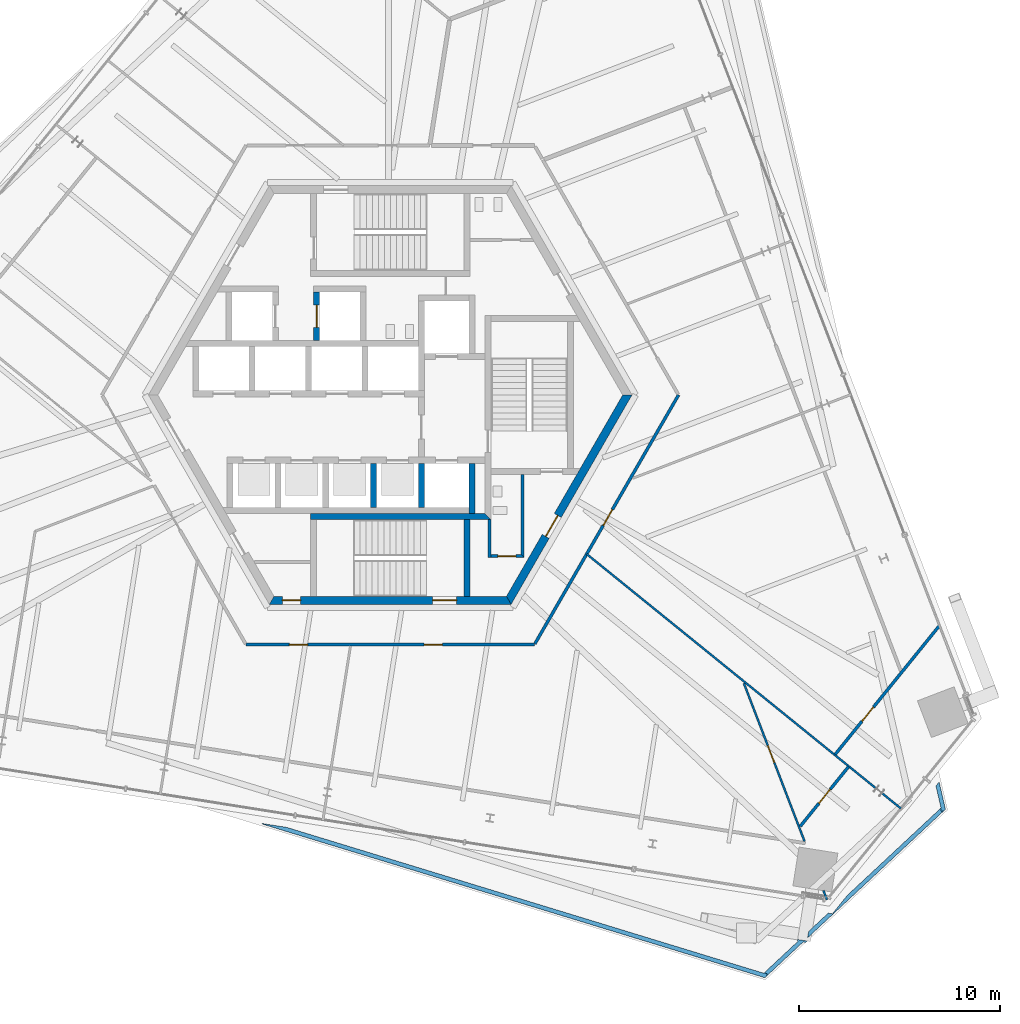
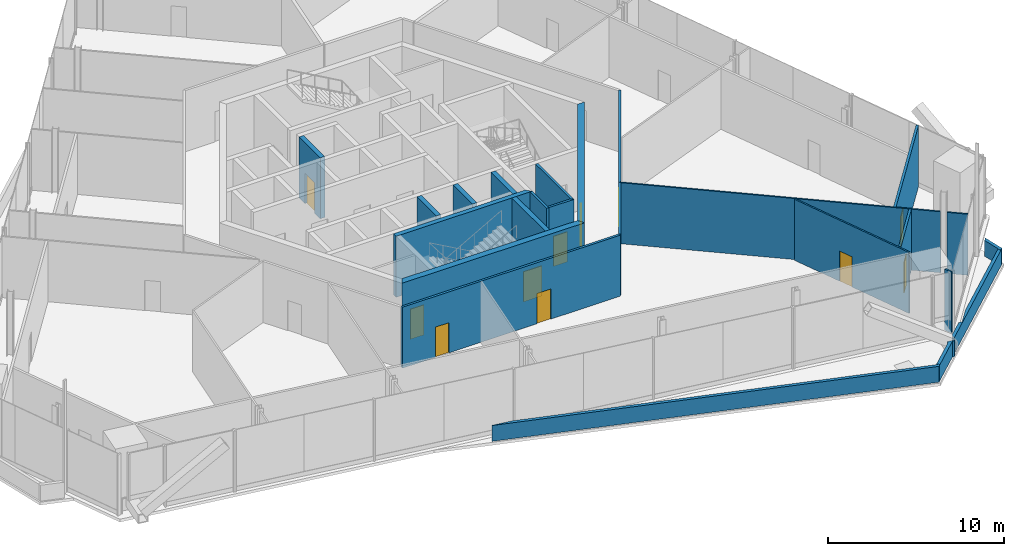
# One storey, part 14 of 22: 23 walls, 11 doors, 11 openings.
"""IFC4 building model written with IfcOpenShell, lengths in metres."""

import ifcopenshell
import ifcopenshell.guid

model = None  # the IFC model being written
_history = None  # IfcOwnerHistory: only IFC2X3 demands one
_inside = {}  # id of a spatial element -> (the spatial element, [elements in it])
_under = {}  # id of a project, library or spatial element -> (it, [spatial elements below it])
_declared = {}  # id of a project -> (the project, [libraries it declares])
_typed = {}  # id of a type object -> (the type object, [elements of that type])
_made_of = {}  # id of a material, layer set ... -> (it, [elements and type objects made of it])


def new_model(schema):
    """Start an empty IFC model of exactly this schema.

    Asked for "IFC4X3", IfcOpenShell would pick the latest addendum, in which some entities
    have other attributes; the version numbers below select the first issue.
    IFC2X3 requires an IfcOwnerHistory on every rooted entity: one is made here for all.
    """
    global model, _history
    if schema == "IFC4X3":
        model = ifcopenshell.file(schema_version=(4, 3, 0, 0))
    else:
        model = ifcopenshell.file(schema=schema)
    _inside.clear()
    _under.clear()
    _declared.clear()
    _typed.clear()
    _made_of.clear()
    _history = None
    if model.schema == "IFC2X3":
        org = make("IfcOrganization", Name="unknown")
        user = make(
            "IfcPersonAndOrganization",
            ThePerson=make("IfcPerson", FamilyName="unknown"),
            TheOrganization=org,
        )
        app = make(
            "IfcApplication",
            ApplicationDeveloper=org,
            Version="unknown",
            ApplicationFullName="unknown",
            ApplicationIdentifier="unknown",
        )
        _history = make(
            "IfcOwnerHistory",
            OwningUser=user,
            OwningApplication=app,
            ChangeAction="ADDED",
            CreationDate=0,
        )
    return model


def make(cls, **values):
    """One entity of the class cls with the attributes given. An attribute that is None is left unset."""
    return model.create_entity(
        cls, **{name: value for name, value in values.items() if value is not None}
    )


def rooted(cls, **values):
    """An entity with a GlobalId (a new one), such as an element, a storey or a relation."""
    return make(cls, GlobalId=ifcopenshell.guid.new(), OwnerHistory=_history, **values)


def si_unit(unit_type, name, prefix=None):
    """IfcSIUnit, for example si_unit("LENGTHUNIT", "METRE", prefix="MILLI")."""
    return make("IfcSIUnit", UnitType=unit_type, Prefix=prefix, Name=name)


def assignment(units):
    """IfcUnitAssignment: the units of a project."""
    return None if units is None else make("IfcUnitAssignment", Units=units)


def point(xyz):
    """IfcCartesianPoint."""
    return None if xyz is None else make("IfcCartesianPoint", Coordinates=xyz)


def direction(xyz):
    """IfcDirection."""
    return None if xyz is None else make("IfcDirection", DirectionRatios=xyz)


def frame(location, z_axis=None, x_axis=None):
    """IfcAxis2Placement3D, a coordinate frame: its origin and axes. An axis left out is left unset."""
    return make(
        "IfcAxis2Placement3D",
        Location=point(location),
        Axis=direction(z_axis),
        RefDirection=direction(x_axis),
    )


def frame_2d(location, x_axis=None):
    """IfcAxis2Placement2D, a coordinate frame in the plane: its origin and x axis."""
    return make(
        "IfcAxis2Placement2D", Location=point(location), RefDirection=direction(x_axis)
    )


def origin():
    """The frame at (0, 0, 0) with its axes left unset."""
    return frame((0.0, 0.0, 0.0))


def place(relative_to, where):
    """IfcLocalPlacement: puts the frame where relative to a parent placement (None: the world)."""
    return make(
        "IfcLocalPlacement", PlacementRelTo=relative_to, RelativePlacement=where
    )


def context(
    kind, dimensions, precision=None, world=None, true_north=None, identifier=None
):
    """IfcGeometricRepresentationContext, for example the 3D "Model" context."""
    return make(
        "IfcGeometricRepresentationContext",
        ContextIdentifier=identifier,
        ContextType=kind,
        CoordinateSpaceDimension=dimensions,
        Precision=precision,
        WorldCoordinateSystem=world,
        TrueNorth=true_north,
    )


def subcontext(parent, identifier, kind, view, scale=None):
    """IfcGeometricRepresentationSubContext, for example "Body" below "Model"."""
    return make(
        "IfcGeometricRepresentationSubContext",
        ContextIdentifier=identifier,
        ContextType=kind,
        ParentContext=parent,
        TargetScale=scale,
        TargetView=view,
    )


def project(units=None, contexts=None):
    """IfcProject with its units and contexts."""
    return rooted(
        "IfcProject",
        Name="project",
        RepresentationContexts=contexts,
        UnitsInContext=assignment(units),
    )


def spatial(cls, under=None, at=None, **own):
    """A site, building, storey or space (cls), placed at a placement, below another one or the project."""
    s = rooted(cls, ObjectPlacement=at, **own)
    if under is not None:
        _under.setdefault(under.id(), (under, []))[1].append(s)
    return s


def polyline(points):
    """IfcPolyline through the points."""
    return make("IfcPolyline", Points=[point(p) for p in points])


def profile(cls, at=None, kind="AREA", **sizes):
    """A parametric profile (cls). Its sizes go by their IFC names, for example OverallWidth=200.0."""
    return make(cls, ProfileType=kind, Position=at, **sizes)


def rectangle(**sizes):
    """IfcRectangleProfileDef."""
    return profile("IfcRectangleProfileDef", **sizes)


def outline(outer, holes=None, kind="AREA"):
    """IfcArbitraryClosedProfileDef: a profile drawn as a closed curve; with holes, ...WithVoids."""
    if holes is None:
        return make("IfcArbitraryClosedProfileDef", ProfileType=kind, OuterCurve=outer)
    return make(
        "IfcArbitraryProfileDefWithVoids",
        ProfileType=kind,
        OuterCurve=outer,
        InnerCurves=holes,
    )


def extrude(swept, where, along, depth):
    """IfcExtrudedAreaSolid: the profile swept, set in the frame where, extruded along a direction by depth."""
    return make(
        "IfcExtrudedAreaSolid",
        SweptArea=swept,
        Position=where,
        ExtrudedDirection=direction(along),
        Depth=depth,
    )


def shape(context_of_items, identifier, shape_type, items):
    """IfcShapeRepresentation: the items that make up one representation, for example the "Body"."""
    return make(
        "IfcShapeRepresentation",
        ContextOfItems=context_of_items,
        RepresentationIdentifier=identifier,
        RepresentationType=shape_type,
        Items=items,
    )


def source(mapping_origin, context_of_items, identifier, shape_type, items):
    """IfcRepresentationMap: a shape defined once, which mapped items show again and again."""
    return make(
        "IfcRepresentationMap",
        MappingOrigin=mapping_origin,
        MappedRepresentation=shape(context_of_items, identifier, shape_type, items),
    )


def transform(
    local_origin,
    x_axis=None,
    y_axis=None,
    z_axis=None,
    scale=None,
    scale2=None,
    scale3=None,
    uniform=True,
):
    """IfcCartesianTransformationOperator3D, or its non-uniform kind. x_axis, y_axis, z_axis: its Axis1, 2, 3."""
    if uniform:
        return make(
            "IfcCartesianTransformationOperator3D",
            Axis1=direction(x_axis),
            Axis2=direction(y_axis),
            LocalOrigin=point(local_origin),
            Scale=scale,
            Axis3=direction(z_axis),
        )
    return make(
        "IfcCartesianTransformationOperator3DnonUniform",
        Axis1=direction(x_axis),
        Axis2=direction(y_axis),
        LocalOrigin=point(local_origin),
        Scale=scale,
        Axis3=direction(z_axis),
        Scale2=scale2,
        Scale3=scale3,
    )


def mapped(mapping_source, mapping_target):
    """IfcMappedItem: shows the shape of a source again, moved by a transform."""
    return make(
        "IfcMappedItem", MappingSource=mapping_source, MappingTarget=mapping_target
    )


def material(Name=None, Category=None):
    """IfcMaterial."""
    return make("IfcMaterial", Name=Name, Category=Category)


def layer(
    of_material, thickness, ventilated=None, Name=None, Category=None, Priority=None
):
    """IfcMaterialLayer: one layer of a wall or slab, of a material (None: an air gap)."""
    return make(
        "IfcMaterialLayer",
        Material=of_material,
        LayerThickness=thickness,
        IsVentilated=ventilated,
        Name=Name,
        Category=Category,
        Priority=Priority,
    )


def layer_set(layers, Name=None):
    """IfcMaterialLayerSet."""
    return make("IfcMaterialLayerSet", MaterialLayers=layers, LayerSetName=Name)


def made_of(thing, what):
    """Note that an element or type object is made of a material, layer set ...; save() writes the relation."""
    if what is not None:
        _made_of.setdefault(what.id(), (what, []))[1].append(thing)
    return thing


def type_object(cls, material=None, **own):
    """A type object (cls), such as IfcWallType, which elements share."""
    return made_of(rooted(cls, **own), material)


def element(
    cls,
    number,
    at=None,
    inside=None,
    cuts=None,
    type_object=None,
    material=None,
    context=None,
    identifier="Body",
    shape_type=None,
    held_by="IfcProductDefinitionShape",
    body=None,
    shapes=None,
    **own,
):
    """One element of the class cls, such as IfcWall. Its Tag is "e" and its number.

    at: its placement. inside: the storey or other place that contains it. cuts: it is an
    opening in that element (IfcRelVoidsElement). A single representation is given by context,
    identifier, shape_type and body (its items); several are given by shapes. held_by: the class
    of the entity that holds the representations. save() writes the other relations.
    """
    e = rooted(cls, Tag="e%d" % number, ObjectPlacement=at, **own)
    if body is not None:
        shapes = [shape(context, identifier, shape_type, body)]
    if shapes is not None:
        e.Representation = make(held_by, Representations=shapes)
    if inside is not None:
        _inside.setdefault(inside.id(), (inside, []))[1].append(e)
    if cuts is not None:
        rooted(
            "IfcRelVoidsElement", RelatingBuildingElement=cuts, RelatedOpeningElement=e
        )
    if type_object is not None:
        _typed.setdefault(type_object.id(), (type_object, []))[1].append(e)
    return made_of(e, material)


def fill(opening, filler):
    """IfcRelFillsElement: the door or window that sits in an opening."""
    return rooted(
        "IfcRelFillsElement",
        RelatingOpeningElement=opening,
        RelatedBuildingElement=filler,
    )


def aggregate(whole, parts):
    """IfcRelAggregates: a whole, such as a stair, and the parts it consists of."""
    return rooted("IfcRelAggregates", RelatingObject=whole, RelatedObjects=parts)


def save(model, path):
    """Write the relations noted so far, then the file.

    IfcRelAggregates (storeys below a building ...), IfcRelContainedInSpatialStructure (elements
    in a storey), IfcRelDefinesByType, IfcRelAssociatesMaterial and IfcRelDeclares: one each for
    every whole, place, type object, material and project.
    """
    for whole, parts in _under.values():
        aggregate(whole, parts)
    for where, things in _inside.values():
        rooted(
            "IfcRelContainedInSpatialStructure",
            RelatedElements=things,
            RelatingStructure=where,
        )
    for kind, things in _typed.values():
        rooted("IfcRelDefinesByType", RelatedObjects=things, RelatingType=kind)
    for what, things in _made_of.values():
        rooted("IfcRelAssociatesMaterial", RelatedObjects=things, RelatingMaterial=what)
    for by, libraries in _declared.values():
        rooted("IfcRelDeclares", RelatingContext=by, RelatedDefinitions=libraries)
    model.write(path)


model = new_model("IFC4")

# Units and contexts
model_context = context("Model", 3, precision=1e-05, world=origin(), true_north=direction((0.0, 1.0)))
body_context = subcontext(model_context, "Body", "Model", "MODEL_VIEW")
ifc_project = project(units=[si_unit("LENGTHUNIT", "METRE"), si_unit("AREAUNIT", "SQUARE_METRE"), si_unit("VOLUMEUNIT", "CUBIC_METRE"), si_unit("PLANEANGLEUNIT", "RADIAN"), si_unit("MASSUNIT", "GRAM", prefix="KILO")], contexts=[model_context])

# Site, building, storey
site_placement = place(None, origin())
site = spatial("IfcSite", under=ifc_project, at=site_placement, CompositionType="ELEMENT")
building_placement = place(site_placement, origin())
building = spatial("IfcBuilding", under=site, at=building_placement, Name="Triune Harvest Tower", CompositionType="ELEMENT")
storey_placement = place(building_placement, frame((0.0, 0.0, 138.10009765625)))
storey = spatial("IfcBuildingStorey", under=building, at=storey_placement, Name="L35", CompositionType="ELEMENT", Elevation=138.10009765625)

# Wall, opening, door
ifc_material_1 = material(Name="Concrete masonry unit", Category="masonry")
ifc_layer_1 = layer(ifc_material_1, 0.14990234375)
ifc_layer_set_1 = layer_set([ifc_layer_1], Name="Concrete masonry unit")
wall_type_1 = type_object("IfcWallType", Name="Block partition 150 unrated", PredefinedType="PARTITIONING", material=ifc_layer_set_1)
wall_1_placement = place(storey_placement, frame((5.0, -8.0, 0.0), z_axis=(0.0, 0.0, 1.0), x_axis=(1.0, 0.0, 0.0)))
wall_1 = element("IfcWall", 1, at=wall_1_placement, inside=storey, type_object=wall_type_1, Name="Wc acc south wall", PredefinedType="PARTITIONING", context=body_context, shape_type="SweptSolid", body=[
    extrude(outline(polyline([(0.0, -0.074951171875), (1.64990234375, -0.074951171875), (1.5, 0.074951171875), (0.0, 0.074951171875), (0.0, -0.074951171875)])), origin(), (0.0, 0.0, 1.0), 4.239990234375),
])
opening_1_placement = place(wall_1_placement, frame((0.33740234375, 0.0, 0.0)))
opening_1 = element("IfcOpeningElement", 2, at=opening_1_placement, cuts=wall_1, Name="Opening CD-WA", PredefinedType="OPENING", context=body_context, shape_type="SweptSolid", body=[
    extrude(rectangle(XDim=0.89990234375, YDim=2.10009765625, at=frame_2d((0.449951171875, 1.050048828125))), frame((0.0, 0.0849609375, 0.0), z_axis=(0.0, -1.0, 0.0), x_axis=(1.0, 0.0, 0.0)), (0.0, 0.0, 1.0), 0.169921875),
])
ifc_material_2 = material(Name="Timber C24", Category="wood")
door_type_1 = type_object("IfcDoorType", Name="WC door 900", OperationType="SINGLE_SWING_LEFT", PredefinedType="DOOR", material=ifc_material_2)
door_1_placement = place(opening_1_placement, origin())
door_1 = element("IfcDoor", 3, at=door_1_placement, inside=storey, type_object=door_type_1, Name="Door CD-WA", OperationType="SINGLE_SWING_LEFT", OverallHeight=2.10009765625, OverallWidth=0.89990234375, PredefinedType="DOOR", context=body_context, shape_type="SweptSolid", body=[
    extrude(rectangle(XDim=0.89990234375, YDim=2.10009765625, at=frame_2d((0.449951171875, 1.050048828125))), frame((0.0, 0.02490234375, 0.0), z_axis=(0.0, -1.0, 0.0), x_axis=(1.0, 0.0, 0.0)), (0.0, 0.0, 1.0), 0.050048828125),
])
fill(opening_1, door_1)

# Walls
wall_2_placement = place(storey_placement, frame((6.574951171875, -8.0, 0.0), z_axis=(0.0, 0.0, 1.0), x_axis=(0.0, 1.0, 0.0)))
element("IfcWall", 4, at=wall_2_placement, inside=storey, type_object=wall_type_1, Name="Wc acc east wall", PredefinedType="PARTITIONING", context=body_context, shape_type="SweptSolid", body=[
    extrude(outline(polyline([(-0.074951171875, -0.074951171875), (4.050048828125, -0.074951171875), (4.050048828125, 0.074951171875), (0.074951171875, 0.074951171875), (-0.074951171875, -0.074951171875)])), origin(), (0.0, 0.0, 1.0), 4.239990234375),
])
wall_3_placement = place(storey_placement, frame((4.925048828125, -8.074951171875, 0.0), z_axis=(0.0, 0.0, 1.0), x_axis=(0.0, 1.0, 0.0)))
element("IfcWall", 5, at=wall_3_placement, inside=storey, type_object=wall_type_1, Name="Wc acc west wall", PredefinedType="PARTITIONING", context=body_context, shape_type="SweptSolid", body=[
    extrude(rectangle(XDim=1.885009765625, YDim=0.14990234375, at=frame_2d((0.9423828125, 0.0))), origin(), (0.0, 0.0, 1.0), 4.239990234375),
])
ifc_material_3 = material(Name="Concrete 70 MPa", Category="concrete")
ifc_layer_2 = layer(ifc_material_3, 0.300048828125)
ifc_layer_set_2 = layer_set([ifc_layer_2], Name="Concrete 70 MPa")
wall_type_2 = type_object("IfcWallType", Name="Core wall 300", PredefinedType="SHEAR", material=ifc_layer_set_2)
wall_4_placement = place(storey_placement, frame((-3.949951171875, -6.0400390625, 0.0), z_axis=(0.0, 0.0, 1.0), x_axis=(1.0, 0.0, 0.0)))
element("IfcWall", 6, at=wall_4_placement, inside=storey, type_object=wall_type_2, Name="Stair s north wall", PredefinedType="SHEAR", context=body_context, shape_type="SweptSolid", body=[
    extrude(outline(polyline([(0.0, -0.14990234375), (8.949951171875, -0.14990234375), (8.64990234375, 0.14990234375), (0.0, 0.14990234375), (0.0, -0.14990234375)])), origin(), (0.0, 0.0, 1.0), 4.239990234375),
])

# Wall, openings, doors
ifc_material_4 = material(Name="Gypsum board on steel studs", Category="steel")
ifc_layer_3 = layer(ifc_material_4, 0.14990234375)
ifc_layer_set_3 = layer_set([ifc_layer_3], Name="Gypsum board on steel studs")
wall_type_3 = type_object("IfcWallType", Name="Fire Partition 150 mm", PredefinedType="PARTITIONING", material=ifc_layer_set_3)
wall_5_placement = place(storey_placement, frame((-7.15478515625, -12.392333984375, 0.0), z_axis=(0.0, 0.0, 1.0), x_axis=(1.0, 0.0, 0.0)))
wall_5 = element("IfcWall", 7, at=wall_5_placement, inside=storey, type_object=wall_type_3, Name="Partition L35 022", PredefinedType="PARTITIONING", context=body_context, shape_type="SweptSolid", body=[
    extrude(rectangle(XDim=14.3095703125, YDim=0.14990234375, at=frame_2d((7.15478515625, 0.0))), origin(), (0.0, 0.0, 1.0), 4.239990234375),
])
opening_2_placement = place(wall_5_placement, frame((2.14990234375, 0.0, 0.0)))
opening_2 = element("IfcOpeningElement", 8, at=opening_2_placement, cuts=wall_5, Name="Opening L35-022", PredefinedType="OPENING", context=body_context, shape_type="SweptSolid", body=[
    extrude(rectangle(XDim=0.89990234375, YDim=2.10009765625, at=frame_2d((0.449951171875, 1.050048828125))), frame((0.0, 0.0849609375, 0.0), z_axis=(0.0, -1.0, 0.0), x_axis=(1.0, 0.0, 0.0)), (0.0, 0.0, 1.0), 0.169921875),
])
opening_3_placement = place(wall_5_placement, frame((8.842041015625, 0.0, 0.0)))
opening_3 = element("IfcOpeningElement", 9, at=opening_3_placement, cuts=wall_5, Name="Opening L35-024", PredefinedType="OPENING", context=body_context, shape_type="SweptSolid", body=[
    extrude(rectangle(XDim=0.89990234375, YDim=2.10009765625, at=frame_2d((0.449951171875, 1.050048828125))), frame((0.0, 0.0849609375, 0.0), z_axis=(0.0, -1.0, 0.0), x_axis=(1.0, 0.0, 0.0)), (0.0, 0.0, 1.0), 0.169921875),
])
ifc_material_5 = material(Name="Timber and steel door set", Category="steel")
door_type_2 = type_object("IfcDoorType", Name="Single leaf door FD30 left hand 900 x 2100", OperationType="SINGLE_SWING_LEFT", PredefinedType="DOOR", material=ifc_material_5)
door_2_placement = place(opening_3_placement, origin())
door_2 = element("IfcDoor", 10, at=door_2_placement, inside=storey, type_object=door_type_2, Name="Door L35-024 Sky Lobby Lounge 35.24", OperationType="SINGLE_SWING_LEFT", OverallHeight=2.10009765625, OverallWidth=0.89990234375, PredefinedType="DOOR", context=body_context, shape_type="SweptSolid", body=[
    extrude(rectangle(XDim=0.89990234375, YDim=2.10009765625, at=frame_2d((0.449951171875, 1.050048828125))), frame((0.0, 0.02490234375, 0.0), z_axis=(0.0, -1.0, 0.0), x_axis=(1.0, 0.0, 0.0)), (0.0, 0.0, 1.0), 0.050048828125),
])
fill(opening_3, door_2)
ifc_material_6 = material(Name="Timber and steel door set", Category="steel")
door_type_3 = type_object("IfcDoorType", Name="Single leaf door FD30 right hand 900 x 2100", OperationType="SINGLE_SWING_RIGHT", PredefinedType="DOOR", material=ifc_material_6)
door_3_placement = place(opening_2_placement, origin())
door_3 = element("IfcDoor", 11, at=door_3_placement, inside=storey, type_object=door_type_3, Name="Door L35-022 Market Stall 35.22", OperationType="SINGLE_SWING_RIGHT", OverallHeight=2.10009765625, OverallWidth=0.89990234375, PredefinedType="DOOR", context=body_context, shape_type="SweptSolid", body=[
    extrude(rectangle(XDim=0.89990234375, YDim=2.10009765625, at=frame_2d((0.449951171875, 1.050048828125))), frame((0.0, 0.02490234375, 0.0), z_axis=(0.0, -1.0, 0.0), x_axis=(1.0, 0.0, 0.0)), (0.0, 0.0, 1.0), 0.050048828125),
])
fill(opening_2, door_3)

# Wall, opening, door
wall_6_placement = place(storey_placement, frame((20.351318359375, -21.407958984375, 0.0), z_axis=(0.0, 0.0, 1.0), x_axis=(0.62930727886, 0.777156579316, 0.0)))
wall_6 = element("IfcWall", 12, at=wall_6_placement, inside=storey, type_object=wall_type_3, Name="Partition L35 034", PredefinedType="PARTITIONING", context=body_context, shape_type="SweptSolid", body=[
    extrude(rectangle(XDim=3.799560546875, YDim=0.14990234375, at=frame_2d((1.89990234375, 0.0))), origin(), (0.0, 0.0, 1.0), 4.239990234375),
])
opening_4_placement = place(wall_6_placement, frame((1.469970703125, 0.0, 0.0)))
opening_4 = element("IfcOpeningElement", 13, at=opening_4_placement, cuts=wall_6, Name="Opening L35-027", PredefinedType="OPENING", context=body_context, shape_type="SweptSolid", body=[
    extrude(rectangle(XDim=0.89990234375, YDim=2.10009765625, at=frame_2d((0.449951171875, 1.050048828125))), frame((0.0, 0.0849609375, 0.0), z_axis=(0.0, -1.0, 0.0), x_axis=(1.0, 0.0, 0.0)), (0.0, 0.0, 1.0), 0.169921875),
])
door_4_placement = place(opening_4_placement, origin())
door_4 = element("IfcDoor", 14, at=door_4_placement, inside=storey, type_object=door_type_2, Name="Door L35-027 Dry Store Room 35.27", OperationType="SINGLE_SWING_LEFT", OverallHeight=2.10009765625, OverallWidth=0.89990234375, PredefinedType="DOOR", context=body_context, shape_type="SweptSolid", body=[
    extrude(rectangle(XDim=0.89990234375, YDim=2.10009765625, at=frame_2d((0.449951171875, 1.050048828125))), frame((0.0, 0.02490234375, 0.0), z_axis=(0.0, -1.0, 0.0), x_axis=(1.0, 0.0, 0.0)), (0.0, 0.0, 1.0), 0.050048828125),
])
fill(opening_4, door_4)

wall_7_placement = place(storey_placement, frame((22.08056640625, -17.84228515625, 0.0), z_axis=(0.0, 0.0, 1.0), x_axis=(0.6293338337, 0.777135075621, 0.0)))
wall_7 = element("IfcWall", 15, at=wall_7_placement, inside=storey, type_object=wall_type_3, Name="Partition L35 035", PredefinedType="PARTITIONING", context=body_context, shape_type="SweptSolid", body=[
    extrude(rectangle(XDim=8.234375, YDim=0.14990234375, at=frame_2d((4.1171875, 0.0))), origin(), (0.0, 0.0, 1.0), 4.239990234375),
])
opening_5_placement = place(wall_7_placement, frame((2.1201171875, 0.0, 0.0)))
opening_5 = element("IfcOpeningElement", 16, at=opening_5_placement, cuts=wall_7, Name="Opening L35-003", PredefinedType="OPENING", context=body_context, shape_type="SweptSolid", body=[
    extrude(rectangle(XDim=0.89990234375, YDim=2.10009765625, at=frame_2d((0.449951171875, 1.050048828125))), frame((0.0, 0.0849609375, 0.0), z_axis=(0.0, -1.0, 0.0), x_axis=(1.0, 0.0, 0.0)), (0.0, 0.0, 1.0), 0.169921875),
])
door_5_placement = place(opening_5_placement, origin())
door_5 = element("IfcDoor", 17, at=door_5_placement, inside=storey, type_object=door_type_3, Name="Door L35-003 Dry Store Room 35.03", OperationType="SINGLE_SWING_RIGHT", OverallHeight=2.10009765625, OverallWidth=0.89990234375, PredefinedType="DOOR", context=body_context, shape_type="SweptSolid", body=[
    extrude(rectangle(XDim=0.89990234375, YDim=2.10009765625, at=frame_2d((0.449951171875, 1.050048828125))), frame((0.0, 0.02490234375, 0.0), z_axis=(0.0, -1.0, 0.0), x_axis=(1.0, 0.0, 0.0)), (0.0, 0.0, 1.0), 0.050048828125),
])
fill(opening_5, door_5)

wall_8_placement = place(storey_placement, frame((7.1796875, -12.34912109375, 0.0), z_axis=(0.0, 0.0, 1.0), x_axis=(0.499993177369, 0.866029342796, 0.0)))
wall_8 = element("IfcWall", 18, at=wall_8_placement, inside=storey, type_object=wall_type_3, Name="Partition L35 038", PredefinedType="PARTITIONING", context=body_context, shape_type="SweptSolid", body=[
    extrude(rectangle(XDim=14.259521484375, YDim=0.14990234375, at=frame_2d((7.1298828125, 0.0))), origin(), (0.0, 0.0, 1.0), 4.239990234375),
])
opening_6_placement = place(wall_8_placement, frame((6.7919921875, 0.0, 0.0)))
opening_6 = element("IfcOpeningElement", 19, at=opening_6_placement, cuts=wall_8, Name="Opening L35-001", PredefinedType="OPENING", context=body_context, shape_type="SweptSolid", body=[
    extrude(rectangle(XDim=0.89990234375, YDim=2.10009765625, at=frame_2d((0.449951171875, 1.050048828125))), frame((0.0, 0.0849609375, 0.0), z_axis=(0.0, -1.0, 0.0), x_axis=(1.0, 0.0, 0.0)), (0.0, 0.0, 1.0), 0.169921875),
])
door_6_placement = place(opening_6_placement, origin())
door_6 = element("IfcDoor", 20, at=door_6_placement, inside=storey, type_object=door_type_2, Name="Door L35-001 Market Hall 35.01", OperationType="SINGLE_SWING_LEFT", OverallHeight=2.10009765625, OverallWidth=0.89990234375, PredefinedType="DOOR", context=body_context, shape_type="SweptSolid", body=[
    extrude(rectangle(XDim=0.89990234375, YDim=2.10009765625, at=frame_2d((0.449951171875, 1.050048828125))), frame((0.0, 0.02490234375, 0.0), z_axis=(0.0, -1.0, 0.0), x_axis=(1.0, 0.0, 0.0)), (0.0, 0.0, 1.0), 0.050048828125),
])
fill(opening_6, door_6)

# Walls
ifc_material_7 = material(Name="Concrete 40 MPa", Category="concrete")
ifc_layer_4 = layer(ifc_material_7, 0.199951171875)
ifc_layer_set_4 = layer_set([ifc_layer_4], Name="Concrete 40 MPa")
wall_type_4 = type_object("IfcWallType", Name="PA-1 parapet 200", PredefinedType="PARAPET", material=ifc_layer_set_4)
wall_9_placement = place(storey_placement, origin())
element("IfcWall", 21, at=wall_9_placement, inside=storey, type_object=wall_type_4, Name="Parapet wedge L34 2.1", PredefinedType="PARAPET", context=body_context, shape_type="SweptSolid", body=[
    extrude(outline(polyline([(27.318603515625, -20.51220703125), (27.33544921875, -20.496337890625), (27.083251953125, -19.40380859375), (27.2431640625, -19.20654296875), (27.556396484375, -20.56396484375), (27.471923828125, -20.642578125), (27.35498046875, -20.669677734375), (27.318603515625, -20.51220703125)])), origin(), (0.0, 0.0, 1.0), 1.099853515625),
])
wall_10_placement = place(storey_placement, origin())
element("IfcWall", 22, at=wall_10_placement, inside=storey, type_object=wall_type_4, Name="Parapet wedge L34 2.2", PredefinedType="PARAPET", context=body_context, shape_type="SweptSolid", body=[
    extrude(outline(polyline([(-6.368896484375, -21.29248046875), (-6.363037109375, -21.26708984375), (-5.12841796875, -21.462646484375), (18.53955078125, -28.698486328125), (18.556396484375, -28.682861328125), (18.7109375, -28.72998046875), (18.67578125, -28.844970703125), (18.591552734375, -28.923583984375), (-6.368896484375, -21.29248046875)])), origin(), (0.0, 0.0, 1.0), 1.099853515625),
])
wall_11_placement = place(storey_placement, origin())
element("IfcWall", 23, at=wall_11_placement, inside=storey, type_object=wall_type_4, Name="Parapet wedge L34 2.3", PredefinedType="PARAPET", context=body_context, shape_type="SweptSolid", body=[
    extrude(outline(polyline([(18.556396484375, -28.682861328125), (20.24169921875, -27.111328125), (20.20849609375, -27.106201171875), (20.220947265625, -27.026611328125), (20.6923828125, -27.101318359375), (20.61767578125, -27.1708984375), (20.4921875, -27.151123046875), (18.67578125, -28.844970703125), (18.7109375, -28.72998046875), (18.556396484375, -28.682861328125)])), origin(), (0.0, 0.0, 1.0), 1.099853515625),
])
wall_12_placement = place(storey_placement, origin())
element("IfcWall", 24, at=wall_12_placement, inside=storey, type_object=wall_type_4, Name="Parapet wedge L34 2.4", PredefinedType="PARAPET", context=body_context, shape_type="SweptSolid", body=[
    extrude(outline(polyline([(21.736328125, -25.717529296875), (21.94384765625, -25.75048828125), (22.693115234375, -24.825439453125), (27.318603515625, -20.51220703125), (27.35498046875, -20.669677734375), (27.471923828125, -20.642578125), (20.710693359375, -26.947509765625), (20.761474609375, -26.626708984375), (21.736328125, -25.717529296875)])), origin(), (0.0, 0.0, 1.0), 1.099853515625),
])

# Wall, opening, door
ifc_material_8 = material(Name="Gypsum board on steel studs", Category="steel")
ifc_layer_5 = layer(ifc_material_8, 0.10009765625)
ifc_layer_set_5 = layer_set([ifc_layer_5], Name="Gypsum board on steel studs")
wall_type_5 = type_object("IfcWallType", Name="Partition 100 mm", PredefinedType="PARTITIONING", material=ifc_layer_set_5)
wall_13_placement = place(storey_placement, frame((17.552490234375, -14.310302734375, 0.0), z_axis=(0.0, 0.0, 1.0), x_axis=(0.358354237135, -0.933585690083, 0.0)))
wall_13 = element("IfcWall", 25, at=wall_13_placement, inside=storey, type_object=wall_type_5, Name="Partition L35 002", PredefinedType="PARTITIONING", context=body_context, shape_type="SweptSolid", body=[
    extrude(rectangle(XDim=8.40576171875, YDim=0.10009765625, at=frame_2d((4.202880859375, 0.0))), origin(), (0.0, 0.0, 1.0), 4.239990234375),
])
opening_7_placement = place(wall_13_placement, frame((3.319091796875, 0.0, 0.0)))
opening_7 = element("IfcOpeningElement", 26, at=opening_7_placement, cuts=wall_13, Name="Opening L35-026", PredefinedType="OPENING", context=body_context, shape_type="SweptSolid", body=[
    extrude(rectangle(XDim=0.89990234375, YDim=2.10009765625, at=frame_2d((0.449951171875, 1.050048828125))), frame((0.0, 0.06005859375, 0.0), z_axis=(0.0, -1.0, 0.0), x_axis=(1.0, 0.0, 0.0)), (0.0, 0.0, 1.0), 0.1201171875),
])
ifc_material_9 = material(Name="Timber and steel door set", Category="steel")
door_type_4 = type_object("IfcDoorType", Name="Single leaf door left hand 900 x 2100", OperationType="SINGLE_SWING_LEFT", PredefinedType="DOOR", material=ifc_material_9)
door_7_placement = place(opening_7_placement, origin())
door_7 = element("IfcDoor", 27, at=door_7_placement, inside=storey, type_object=door_type_4, Name="Door L35-026 Cafe 35.26", OperationType="SINGLE_SWING_LEFT", OverallHeight=2.10009765625, OverallWidth=0.89990234375, PredefinedType="DOOR", context=body_context, shape_type="SweptSolid", body=[
    extrude(rectangle(XDim=0.89990234375, YDim=2.10009765625, at=frame_2d((0.449951171875, 1.050048828125))), frame((0.0, 0.02490234375, 0.0), z_axis=(0.0, -1.0, 0.0), x_axis=(1.0, 0.0, 0.0)), (0.0, 0.0, 1.0), 0.050048828125),
])
fill(opening_7, door_7)

# Walls
wall_14_placement = place(storey_placement, frame((21.49951171875, -24.593017578125, 0.0), z_axis=(0.0, 0.0, 1.0), x_axis=(0.358544630933, -0.933512585683, 0.0)))
element("IfcWall", 28, at=wall_14_placement, inside=storey, type_object=wall_type_5, Name="Partition L35 003", PredefinedType="PARTITIONING", context=body_context, shape_type="SweptSolid", body=[
    extrude(rectangle(XDim=0.489501953125, YDim=0.10009765625, at=frame_2d((0.24462890625, 0.0))), origin(), (0.0, 0.0, 1.0), 4.239990234375),
])
wall_15_placement = place(storey_placement, frame((9.750732421875, -7.89599609375, 0.0), z_axis=(0.0, 0.0, 1.0), x_axis=(0.777147730795, -0.629318206093, 0.0)))
element("IfcWall", 29, at=wall_15_placement, inside=storey, type_object=wall_type_5, Name="Partition L35 014", PredefinedType="PARTITIONING", context=body_context, shape_type="SweptSolid", body=[
    extrude(rectangle(XDim=18.496826171875, YDim=0.10009765625, at=frame_2d((9.24853515625, 0.0))), origin(), (0.0, 0.0, 1.0), 4.239990234375),
])

# Wall, openings, doors
ifc_material_10 = material(Name="Concrete 70 MPa", Category="concrete")
ifc_layer_6 = layer(ifc_material_10, 0.39990234375)
ifc_layer_set_6 = layer_set([ifc_layer_6], Name="Concrete 70 MPa")
wall_type_6 = type_object("IfcWallType", Name="Core wall 400", PredefinedType="SHEAR", material=ifc_layer_set_6)
shared_shape_1 = source(origin(), body_context, "Body", "SweptSolid", [
    extrude(outline(polyline([(-0.115478515625, -0.199951171875), (11.884521484375, -0.199951171875), (11.653564453125, 0.199951171875), (0.115478515625, 0.199951171875), (-0.115478515625, -0.199951171875)])), origin(), (0.0, 0.0, 1.0), 4.239990234375),
])
wall_16_placement = place(storey_placement, frame((-5.884521484375, -10.1923828125, 0.0), z_axis=(0.0, 0.0, 1.0), x_axis=(1.0, 0.0, 0.0)))
wall_16 = element("IfcWall", 30, at=wall_16_placement, inside=storey, type_object=wall_type_6, Name="Hexagon 4 wall", PredefinedType="SHEAR", context=body_context, shape_type="MappedRepresentation", body=[
    mapped(shared_shape_1, transform((0.0, 0.0, 0.0), scale=1.0)),
])
opening_8_placement = place(wall_16_placement, frame((7.984619140625, 0.0, 0.0)))
opening_8 = element("IfcOpeningElement", 31, at=opening_8_placement, cuts=wall_16, Name="Opening CD-S2P", PredefinedType="OPENING", context=body_context, shape_type="SweptSolid", body=[
    extrude(rectangle(XDim=1.199951171875, YDim=2.10009765625, at=frame_2d((0.60009765625, 1.050048828125))), frame((0.0, 0.2099609375, 0.0), z_axis=(0.0, -1.0, 0.0), x_axis=(1.0, 0.0, 0.0)), (0.0, 0.0, 1.0), 0.419921875),
])
opening_9_placement = place(wall_16_placement, frame((0.534423828125, 0.0, 0.0)))
opening_9 = element("IfcOpeningElement", 32, at=opening_9_placement, cuts=wall_16, Name="Opening CD-SWS", PredefinedType="OPENING", context=body_context, shape_type="SweptSolid", body=[
    extrude(rectangle(XDim=0.89990234375, YDim=2.10009765625, at=frame_2d((0.449951171875, 1.050048828125))), frame((0.0, 0.2099609375, 0.0), z_axis=(0.0, -1.0, 0.0), x_axis=(1.0, 0.0, 0.0)), (0.0, 0.0, 1.0), 0.419921875),
])
ifc_material_11 = material(Name="Steel S235", Category="steel")
door_type_5 = type_object("IfcDoorType", Name="Riser door 900 FD120", OperationType="SINGLE_SWING_LEFT", PredefinedType="DOOR", material=ifc_material_11)
door_8_placement = place(opening_9_placement, frame((0.89990234375, 0.0, 0.0), z_axis=(0.0, 0.0, 1.0), x_axis=(-1.0, 0.0, 0.0)))
door_8 = element("IfcDoor", 33, at=door_8_placement, inside=storey, type_object=door_type_5, Name="Door CD-SWS", OperationType="SINGLE_SWING_RIGHT", OverallHeight=2.10009765625, OverallWidth=0.89990234375, PredefinedType="DOOR", context=body_context, shape_type="SweptSolid", body=[
    extrude(rectangle(XDim=0.89990234375, YDim=2.10009765625, at=frame_2d((0.449951171875, 1.050048828125))), frame((0.0, 0.02490234375, 0.0), z_axis=(0.0, -1.0, 0.0), x_axis=(1.0, 0.0, 0.0)), (0.0, 0.0, 1.0), 0.050048828125),
])
fill(opening_9, door_8)
ifc_material_12 = material(Name="Steel S235", Category="steel")
door_type_6 = type_object("IfcDoorType", Name="Stair door 1200 FD120", OperationType="SINGLE_SWING_LEFT", PredefinedType="DOOR", material=ifc_material_12)
door_9_placement = place(opening_8_placement, frame((1.199951171875, 0.0, 0.0), z_axis=(0.0, 0.0, 1.0), x_axis=(-1.0, 0.0, 0.0)))
door_9 = element("IfcDoor", 34, at=door_9_placement, inside=storey, type_object=door_type_6, Name="Door CD-S2P", OperationType="SINGLE_SWING_RIGHT", OverallHeight=2.10009765625, OverallWidth=1.199951171875, PredefinedType="DOOR", context=body_context, shape_type="SweptSolid", body=[
    extrude(rectangle(XDim=1.199951171875, YDim=2.10009765625, at=frame_2d((0.60009765625, 1.050048828125))), frame((0.0, 0.02490234375, 0.0), z_axis=(0.0, -1.0, 0.0), x_axis=(1.0, 0.0, 0.0)), (0.0, 0.0, 1.0), 0.050048828125),
])
fill(opening_8, door_9)

# Wall, opening, door
wall_17_placement = place(storey_placement, frame((5.884521484375, -10.1923828125, 0.0), z_axis=(0.0, 0.0, 1.0), x_axis=(0.499996592174, 0.866027371285, 0.0)))
wall_17 = element("IfcWall", 35, at=wall_17_placement, inside=storey, type_object=wall_type_6, Name="Hexagon 5 wall", PredefinedType="SHEAR", context=body_context, shape_type="MappedRepresentation", body=[
    mapped(shared_shape_1, transform((0.0, 0.0, 0.0), scale=1.0)),
])
opening_10_placement = place(wall_17_placement, frame((3.66455078125, 0.0, 0.0)))
opening_10 = element("IfcOpeningElement", 36, at=opening_10_placement, cuts=wall_17, Name="Opening CD-DP", PredefinedType="OPENING", context=body_context, shape_type="SweptSolid", body=[
    extrude(rectangle(XDim=1.199951171875, YDim=2.10009765625, at=frame_2d((0.60009765625, 1.050048828125))), frame((0.0, 0.2099609375, 0.0), z_axis=(0.0, -1.0, 0.0), x_axis=(1.0, 0.0, 0.0)), (0.0, 0.0, 1.0), 0.419921875),
])
door_10_placement = place(opening_10_placement, frame((1.199951171875, 0.0, 0.0), z_axis=(0.0, 0.0, 1.0), x_axis=(-1.0, 0.0, 0.0)))
door_10 = element("IfcDoor", 37, at=door_10_placement, inside=storey, type_object=door_type_6, Name="Door CD-DP", OperationType="SINGLE_SWING_RIGHT", OverallHeight=2.10009765625, OverallWidth=1.199951171875, PredefinedType="DOOR", context=body_context, shape_type="SweptSolid", body=[
    extrude(rectangle(XDim=1.199951171875, YDim=2.10009765625, at=frame_2d((0.60009765625, 1.050048828125))), frame((0.0, 0.02490234375, 0.0), z_axis=(0.0, -1.0, 0.0), x_axis=(1.0, 0.0, 0.0)), (0.0, 0.0, 1.0), 0.050048828125),
])
fill(opening_10, door_10)

# Walls
shared_shape_2 = source(origin(), body_context, "Body", "SweptSolid", [
    extrude(rectangle(XDim=2.5, YDim=0.300048828125, at=frame_2d((1.25, 0.0))), origin(), (0.0, 0.0, 1.0), 4.239990234375),
])
wall_18_placement = place(storey_placement, frame((4.050048828125, -5.889892578125, 0.0), z_axis=(0.0, 0.0, 1.0), x_axis=(0.0, 1.0, 0.0)))
element("IfcWall", 38, at=wall_18_placement, inside=storey, type_object=wall_type_2, Name="Ff2 east wall", PredefinedType="SHEAR", context=body_context, shape_type="MappedRepresentation", body=[
    mapped(shared_shape_2, transform((0.0, 0.0, 0.0), scale=1.0)),
])
shared_shape_3 = source(origin(), body_context, "Body", "SweptSolid", [
    extrude(rectangle(XDim=2.2001953125, YDim=0.300048828125, at=frame_2d((1.10009765625, 0.0))), origin(), (0.0, 0.0, 1.0), 4.239990234375),
])
for number, where, z_axis, x_axis, name in (
    (39, (1.550048828125, -5.590087890625, 0.0), (0.0, 0.0, 1.0), (0.0, 1.0, 0.0), "Ff2 west wall"),
    (40, (-0.824951171875, -5.590087890625, 0.0), (0.0, 0.0, 1.0), (0.0, 1.0, 0.0), "South cross 3 wall"),
):
    element("IfcWall", number, at=place(storey_placement, frame(where, z_axis=z_axis, x_axis=x_axis)), inside=storey, type_object=wall_type_2, Name=name, PredefinedType="SHEAR", context=body_context, shape_type="MappedRepresentation", body=[
        mapped(shared_shape_3, transform((0.0, 0.0, 0.0), scale=1.0)),
    ])
shared_shape_4 = source(origin(), body_context, "Body", "SweptSolid", [
    extrude(outline(polyline([(3.800048828125, -0.14990234375), (-0.00439453125, -0.14990234375), (-0.00439453125, 0.14990234375), (3.800048828125, 0.14990234375), (3.800048828125, -0.14990234375)])), origin(), (0.0, 0.0, 1.0), 4.239990234375),
])
wall_19_placement = place(storey_placement, frame((3.800048828125, -9.989990234375, 0.0), z_axis=(0.0, 0.0, 1.0), x_axis=(0.0, 1.0, 0.0)))
element("IfcWall", 41, at=wall_19_placement, inside=storey, type_object=wall_type_2, Name="Stair s east wall", PredefinedType="SHEAR", context=body_context, shape_type="MappedRepresentation", body=[
    mapped(shared_shape_4, transform((0.0, 0.0, 0.0), scale=1.0)),
])

# Wall, opening, door
shared_shape_5 = source(origin(), body_context, "Body", "SweptSolid", [
    extrude(rectangle(XDim=2.400146484375, YDim=0.300048828125, at=frame_2d((1.2001953125, 0.0))), origin(), (0.0, 0.0, 1.0), 4.239990234375),
])
wall_20_placement = place(storey_placement, frame((-3.64990234375, 2.7099609375, 0.0), z_axis=(0.0, 0.0, 1.0), x_axis=(0.0, 1.0, 0.0)))
wall_20 = element("IfcWall", 42, at=wall_20_placement, inside=storey, type_object=wall_type_2, Name="Sv2 west wall", PredefinedType="SHEAR", context=body_context, shape_type="MappedRepresentation", body=[
    mapped(shared_shape_5, transform((0.0, 0.0, 0.0), scale=1.0)),
])
opening_11_placement = place(wall_20_placement, frame((0.64990234375, 0.0, 0.0)))
opening_11 = element("IfcOpeningElement", 43, at=opening_11_placement, cuts=wall_20, Name="Opening LD-SV2-35", PredefinedType="OPENING", context=body_context, shape_type="SweptSolid", body=[
    extrude(rectangle(XDim=1.10009765625, YDim=2.10009765625, at=frame_2d((0.550048828125, 1.050048828125))), frame((0.0, 0.16015625, 0.0), z_axis=(0.0, -1.0, 0.0), x_axis=(1.0, 0.0, 0.0)), (0.0, 0.0, 1.0), 0.320068359375),
])
ifc_material_13 = material(Name="Stainless steel AISI 304", Category="steel")
door_type_7 = type_object("IfcDoorType", Name="Landing door 1100 x 2100", OperationType="DOUBLE_DOOR_SLIDING", PredefinedType="DOOR", material=ifc_material_13)
door_11_placement = place(opening_11_placement, origin())
door_11 = element("IfcDoor", 44, at=door_11_placement, inside=storey, type_object=door_type_7, Name="Door LD-SV2-35", OperationType="DOUBLE_DOOR_SLIDING", OverallHeight=2.10009765625, OverallWidth=1.10009765625, PredefinedType="DOOR", context=body_context, shape_type="SweptSolid", body=[
    extrude(rectangle(XDim=1.10009765625, YDim=2.10009765625, at=frame_2d((0.550048828125, 1.050048828125))), frame((0.0, 0.02490234375, 0.0), z_axis=(0.0, -1.0, 0.0), x_axis=(1.0, 0.0, 0.0)), (0.0, 0.0, 1.0), 0.050048828125),
])
fill(opening_11, door_11)

# Wall
shared_shape_6 = source(origin(), body_context, "Body", "SweptSolid", [
    extrude(rectangle(XDim=1.2119140625, YDim=0.10009765625, at=frame_2d((0.60595703125, 0.0))), origin(), (0.0, 0.0, 1.0), 4.239990234375),
])
wall_21_placement = place(storey_placement, frame((24.400146484375, -19.7587890625, 0.0), z_axis=(0.0, 0.0, 1.0), x_axis=(0.777160423943, -0.629302530948, 0.0)))
element("IfcWall", 45, at=wall_21_placement, inside=storey, type_object=wall_type_5, Name="Partition L35 015", PredefinedType="PARTITIONING", context=body_context, shape_type="MappedRepresentation", body=[
    mapped(shared_shape_6, transform((0.0, 0.0, 0.0), scale=1.0)),
])

save(model, "model.ifc")
